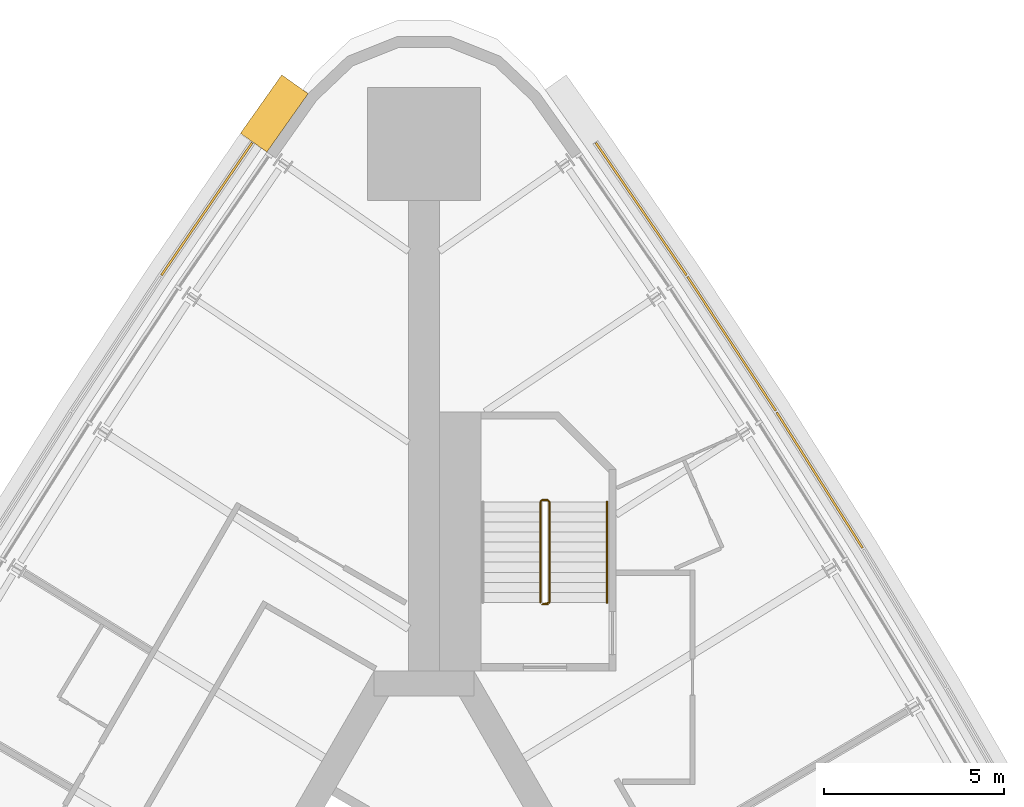
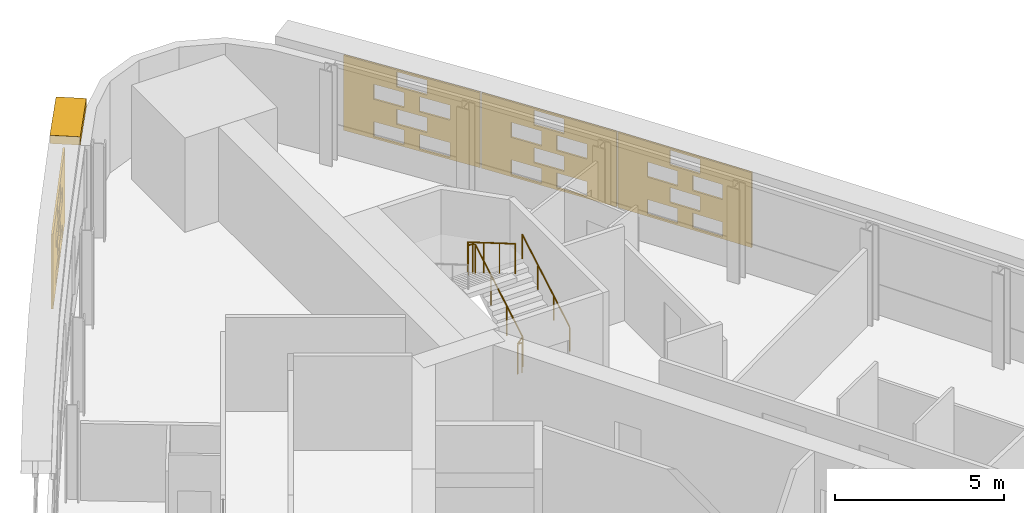
# One storey, part 13 of 13: 5 shading devices, 2 railings.
"""IFC4 building model written with IfcOpenShell, lengths in metres."""

from ifc_helpers import new_model, si_unit, direction, frame, origin, origin_2d, place, context, subcontext, project, spatial, polyline, circle, outline, extrude, material, material_profile, profile_set, type_object, element, save


model = new_model("IFC4")

# Units and contexts
model_context = context("Model", 3, precision=1e-05, world=origin(), true_north=direction((0.0, 1.0)))
body_context = subcontext(model_context, "Body", "Model", "MODEL_VIEW")
ifc_project = project(units=[si_unit("LENGTHUNIT", "METRE"), si_unit("AREAUNIT", "SQUARE_METRE"), si_unit("VOLUMEUNIT", "CUBIC_METRE"), si_unit("PLANEANGLEUNIT", "RADIAN"), si_unit("MASSUNIT", "GRAM", prefix="KILO")], contexts=[model_context])

# Site, building, storey
site_placement = place(None, origin())
site = spatial("IfcSite", under=ifc_project, at=site_placement, CompositionType="ELEMENT")
building_placement = place(site_placement, origin())
building = spatial("IfcBuilding", under=site, at=building_placement, Name="Noor Cloister Tower", CompositionType="ELEMENT")
storey_placement = place(building_placement, frame((0.0, 0.0, 79.800048828125)))
storey = spatial("IfcBuildingStorey", under=building, at=storey_placement, Name="L20", CompositionType="ELEMENT", Elevation=79.800048828125)

# Shading devices
ifc_material_1 = material(Name="Limestone", Category="masonry")
ifc_material_profile = material_profile(ifc_material_1, outline(polyline([(-2.22998046875, -1.35009765625), (2.22998046875, -1.35009765625), (2.22998046875, 1.35009765625), (-2.22998046875, 1.35009765625), (-2.22998046875, -1.35009765625)]), holes=[polyline([(-1.25, -1.282470703125), (-0.25, -1.282470703125), (-0.25, -0.742431640625), (-1.25, -0.742431640625), (-1.25, -1.282470703125)]), polyline([(0.25, -1.282470703125), (1.25, -1.282470703125), (1.25, -0.742431640625), (0.25, -0.742431640625), (0.25, -1.282470703125)]), polyline([(-0.5, -0.607421875), (0.5, -0.607421875), (0.5, -0.0673828125), (-0.5, -0.0673828125), (-0.5, -0.607421875)]), polyline([(-1.25, 0.0673828125), (-0.25, 0.0673828125), (-0.25, 0.607421875), (-1.25, 0.607421875), (-1.25, 0.0673828125)]), polyline([(0.25, 0.0673828125), (1.25, 0.0673828125), (1.25, 0.607421875), (0.25, 0.607421875), (0.25, 0.0673828125)]), polyline([(-0.5, 0.742431640625), (0.5, 0.742431640625), (0.5, 1.282470703125), (-0.5, 1.282470703125), (-0.5, 0.742431640625)])]), Name="Woven screen 28 percent open")
ifc_profile_set = profile_set([ifc_material_profile], Name="Limestone")
shading_device_type_1 = type_object("IfcShadingDeviceType", Name="SCREEN woven limestone 28 percent open", PredefinedType="USERDEFINED", material=ifc_profile_set)
shading_device_1_placement = place(storey_placement, frame((-6.008544921875, 24.272216796875, 1.849853515625), z_axis=(-0.825107815773, 0.564975302426, 0.0), x_axis=(-0.564975302426, -0.825107815773, 0.0)))
element("IfcShadingDevice", 1, at=shading_device_1_placement, inside=storey, type_object=shading_device_type_1, Name="SCREEN L20 1", ObjectType="SCREEN", PredefinedType="USERDEFINED", context=body_context, shape_type="SweptSolid", body=[
    extrude(outline(polyline([(-2.22998046875, -1.35009765625), (2.22998046875, -1.35009765625), (2.22998046875, 1.35009765625), (-2.22998046875, 1.35009765625), (-2.22998046875, -1.35009765625)]), holes=[polyline([(-1.25, -1.282470703125), (-0.25, -1.282470703125), (-0.25, -0.742431640625), (-1.25, -0.742431640625), (-1.25, -1.282470703125)]), polyline([(0.25, -1.282470703125), (1.25, -1.282470703125), (1.25, -0.742431640625), (0.25, -0.742431640625), (0.25, -1.282470703125)]), polyline([(-0.5, -0.607421875), (0.5, -0.607421875), (0.5, -0.0673828125), (-0.5, -0.0673828125), (-0.5, -0.607421875)]), polyline([(-1.25, 0.0673828125), (-0.25, 0.0673828125), (-0.25, 0.607421875), (-1.25, 0.607421875), (-1.25, 0.0673828125)]), polyline([(0.25, 0.0673828125), (1.25, 0.0673828125), (1.25, 0.607421875), (0.25, 0.607421875), (0.25, 0.0673828125)]), polyline([(-0.5, 0.742431640625), (0.5, 0.742431640625), (0.5, 1.282470703125), (-0.5, 1.282470703125), (-0.5, 0.742431640625)])]), origin(), (0.0, 0.0, 1.0), 0.06005859375),
])
for number, where, z_axis, x_axis, name in (
    (2, (10.96533203125, 16.740234375, 1.849853515625), (0.845003547232, 0.534760698973, 0.0), (-0.534760698973, 0.845003547232, 0.0), "SCREEN L20 7"),
    (3, (8.523681640625, 20.5302734375, 1.849853515625), (0.83517086482, 0.549990569516, 0.0), (-0.549990569516, 0.83517086482, 0.0), "SCREEN L20 8"),
):
    element("IfcShadingDevice", number, at=place(storey_placement, frame(where, z_axis=z_axis, x_axis=x_axis)), inside=storey, type_object=shading_device_type_1, Name=name, ObjectType="SCREEN", PredefinedType="USERDEFINED", context=body_context, shape_type="SweptSolid", body=[
        extrude(outline(polyline([(-2.22998046875, -1.35009765625), (2.22998046875, -1.35009765625), (2.22998046875, 1.35009765625), (-2.22998046875, 1.35009765625), (-2.22998046875, -1.35009765625)]), holes=[polyline([(-1.25, -1.282470703125), (-0.25, -1.282470703125), (-0.25, -0.742431640625), (-1.25, -0.742431640625), (-1.25, -1.282470703125)]), polyline([(0.25, -1.282470703125), (1.25, -1.282470703125), (1.25, -0.742431640625), (0.25, -0.742431640625), (0.25, -1.282470703125)]), polyline([(-0.5, -0.607421875), (0.5, -0.607421875), (0.5, -0.0673828125), (-0.5, -0.0673828125), (-0.5, -0.607421875)]), polyline([(-1.25, 0.0673828125), (-0.25, 0.0673828125), (-0.25, 0.607421875), (-1.25, 0.607421875), (-1.25, 0.0673828125)]), polyline([(0.25, 0.0673828125), (1.25, 0.0673828125), (1.25, 0.607421875), (0.25, 0.607421875), (0.25, 0.0673828125)]), polyline([(-0.5, 0.742431640625), (0.5, 0.742431640625), (0.5, 1.282470703125), (-0.5, 1.282470703125), (-0.5, 0.742431640625)])]), origin(), (0.0, 0.0, 1.0), 0.059814453125),
    ])
shading_device_2_placement = place(storey_placement, frame((6.008544921875, 24.272216796875, 1.849853515625), z_axis=(0.825107815773, 0.564975302426, 0.0), x_axis=(-0.564975302426, 0.825107815773, 0.0)))
element("IfcShadingDevice", 4, at=shading_device_2_placement, inside=storey, type_object=shading_device_type_1, Name="SCREEN L20 9", ObjectType="SCREEN", PredefinedType="USERDEFINED", context=body_context, shape_type="SweptSolid", body=[
    extrude(outline(polyline([(-2.22998046875, -1.35009765625), (2.22998046875, -1.35009765625), (2.22998046875, 1.35009765625), (-2.22998046875, 1.35009765625), (-2.22998046875, -1.35009765625)]), holes=[polyline([(-1.25, -1.282470703125), (-0.25, -1.282470703125), (-0.25, -0.742431640625), (-1.25, -0.742431640625), (-1.25, -1.282470703125)]), polyline([(0.25, -1.282470703125), (1.25, -1.282470703125), (1.25, -0.742431640625), (0.25, -0.742431640625), (0.25, -1.282470703125)]), polyline([(-0.5, -0.607421875), (0.5, -0.607421875), (0.5, -0.0673828125), (-0.5, -0.0673828125), (-0.5, -0.607421875)]), polyline([(-1.25, 0.0673828125), (-0.25, 0.0673828125), (-0.25, 0.607421875), (-1.25, 0.607421875), (-1.25, 0.0673828125)]), polyline([(0.25, 0.0673828125), (1.25, 0.0673828125), (1.25, 0.607421875), (0.25, 0.607421875), (0.25, 0.0673828125)]), polyline([(-0.5, 0.742431640625), (0.5, 0.742431640625), (0.5, 1.282470703125), (-0.5, 1.282470703125), (-0.5, 0.742431640625)])]), origin(), (0.0, 0.0, 1.0), 0.06005859375),
])
ifc_material_2 = material(Name="Limestone", Category="masonry")
shading_device_type_2 = type_object("IfcShadingDeviceType", Name="SUNSHADE limestone band 900", PredefinedType="USERDEFINED", material=ifc_material_2)
shading_device_3_placement = place(storey_placement, frame((0.0, 0.0, 3.300048828125)))
element("IfcShadingDevice", 5, at=shading_device_3_placement, inside=storey, type_object=shading_device_type_2, Name="SUNSHADE L20 4", ObjectType="SUNSHADE", PredefinedType="USERDEFINED", context=body_context, shape_type="SweptSolid", body=[
    extrude(outline(polyline([(-3.95166015625, 28.0146484375), (-5.09912109375, 26.39208984375), (-4.3642578125, 25.87255859375), (-3.216796875, 27.4951171875), (-3.95166015625, 28.0146484375)])), origin(), (0.0, 0.0, 1.0), 0.2998046875),
])

# Railings
ifc_material_3 = material(Name="Stainless steel", Category="steel")
railing_type_1 = type_object("IfcRailingType", Name="Stair guard 1100", PredefinedType="GUARDRAIL", material=ifc_material_3)
railing_1_placement = place(storey_placement, frame((3.435546875, 13.306396484375, 0.0)))
element("IfcRailing", 6, at=railing_1_placement, inside=storey, type_object=railing_type_1, Name="Stair guard ST1 L20", PredefinedType="GUARDRAIL", context=body_context, shape_type="SweptSolid", body=[
    extrude(circle(Radius=0.02392578125, at=origin_2d()), frame((0.0, 0.0, 1.076171875), z_axis=(-1.0, 0.0, 0.0), x_axis=(0.0, -1.0, 0.0)), (0.0, 0.0, 1.0), 0.14990234375),
    extrude(circle(Radius=0.02392578125, at=origin_2d()), frame((-0.14990234375, 0.0, 1.076171875), z_axis=(0.759870394187, 0.190199549216, 0.621627795), x_axis=(-0.242814311512, 0.970072785993, 0.0)), (0.0, 0.0, 1.0), 0.26318359375),
    extrude(circle(Radius=0.02392578125, at=origin_2d()), frame((0.050048828125, 0.050048828125, 1.23974609375), z_axis=(0.0, 0.863360870873, 0.504586966384), x_axis=(-1.0, 0.0, 0.0)), (0.0, 0.0, 1.0), 3.2431640625),
    extrude(circle(Radius=0.02392578125, at=origin_2d()), frame((0.050048828125, 2.85009765625, 2.8759765625), z_axis=(-0.708833529934, 0.705375805398, 0.0), x_axis=(-0.705375805398, -0.708833529934, 0.0)), (0.0, 0.0, 1.0), 0.070556640625),
    extrude(circle(Radius=0.02392578125, at=origin_2d()), frame((0.0, 2.89990234375, 2.8759765625), z_axis=(-1.0, 0.0, 0.0), x_axis=(0.0, -1.0, 0.0)), (0.0, 0.0, 1.0), 0.14990234375),
    extrude(circle(Radius=0.02392578125, at=origin_2d()), frame((-0.14990234375, 2.89990234375, 2.8759765625), z_axis=(-0.280916556609, -0.279546231943, 0.91811752648), x_axis=(0.705375805398, -0.708833529934, 0.0)), (0.0, 0.0, 1.0), 0.17822265625),
    extrude(circle(Radius=0.02392578125, at=origin_2d()), frame((-0.199951171875, 2.85009765625, 3.03955078125), z_axis=(0.0, -0.863393664356, 0.504530851732), x_axis=(1.0, 0.0, 0.0)), (0.0, 0.0, 1.0), 3.2431640625),
    extrude(circle(Radius=0.02099609375, at=origin_2d()), origin(), (0.0, 0.0, 1.0), 1.052001953125),
    extrude(circle(Radius=0.02099609375, at=origin_2d()), frame((-0.14990234375, 0.0, 0.0)), (0.0, 0.0, 1.0), 1.052001953125),
    extrude(circle(Radius=0.02099609375, at=origin_2d()), frame((0.050048828125, 0.050048828125, 0.16357421875)), (0.0, 0.0, 1.0), 1.052001953125),
    extrude(circle(Radius=0.02099609375, at=origin_2d()), frame((0.050048828125, 0.9833984375, 0.708984375)), (0.0, 0.0, 1.0), 1.052001953125),
    extrude(circle(Radius=0.02099609375, at=origin_2d()), frame((0.050048828125, 1.916748046875, 1.254638671875)), (0.0, 0.0, 1.0), 1.052001953125),
    extrude(circle(Radius=0.02099609375, at=origin_2d()), frame((0.050048828125, 2.85009765625, 1.800048828125)), (0.0, 0.0, 1.0), 1.052001953125),
    extrude(circle(Radius=0.02099609375, at=origin_2d()), frame((0.0, 2.89990234375, 1.800048828125)), (0.0, 0.0, 1.0), 1.052001953125),
    extrude(circle(Radius=0.02099609375, at=origin_2d()), frame((-0.14990234375, 2.89990234375, 1.800048828125)), (0.0, 0.0, 1.0), 1.052001953125),
    extrude(circle(Radius=0.02099609375, at=origin_2d()), frame((-0.199951171875, 2.85009765625, 1.963623046875)), (0.0, 0.0, 1.0), 1.052001953125),
    extrude(circle(Radius=0.02099609375, at=origin_2d()), frame((-0.199951171875, 1.916748046875, 2.509033203125)), (0.0, 0.0, 1.0), 1.052001953125),
    extrude(circle(Radius=0.02099609375, at=origin_2d()), frame((-0.199951171875, 0.9833984375, 3.054443359375)), (0.0, 0.0, 1.0), 1.052001953125),
    extrude(circle(Radius=0.02099609375, at=origin_2d()), frame((-0.199951171875, 0.050048828125, 3.599853515625)), (0.0, 0.0, 1.0), 1.052001953125),
])
ifc_material_4 = material(Name="Stainless steel", Category="steel")
railing_type_2 = type_object("IfcRailingType", Name="Stair handrail 900", PredefinedType="HANDRAIL", material=ifc_material_4)
railing_2_placement = place(storey_placement, frame((5.085693359375, 13.3564453125, 0.16357421875)))
element("IfcRailing", 7, at=railing_2_placement, inside=storey, type_object=railing_type_2, Name="Stair handrail ST1 L20 1", PredefinedType="HANDRAIL", context=body_context, shape_type="SweptSolid", body=[
    extrude(circle(Radius=0.02392578125, at=origin_2d()), frame((0.0, 0.0, 0.8759765625), z_axis=(0.0, 0.863360870873, 0.504586966384), x_axis=(-1.0, 0.0, 0.0)), (0.0, 0.0, 1.0), 3.2431640625),
    extrude(circle(Radius=0.02099609375, at=origin_2d()), origin(), (0.0, 0.0, 1.0), 0.851806640625),
    extrude(circle(Radius=0.02099609375, at=origin_2d()), frame((0.0, 0.933349609375, 0.54541015625)), (0.0, 0.0, 1.0), 0.851806640625),
    extrude(circle(Radius=0.02099609375, at=origin_2d()), frame((0.0, 1.86669921875, 1.091064453125)), (0.0, 0.0, 1.0), 0.851806640625),
    extrude(circle(Radius=0.02099609375, at=origin_2d()), frame((0.0, 2.800048828125, 1.636474609375)), (0.0, 0.0, 1.0), 0.851806640625),
])

save(model, "model.ifc")
